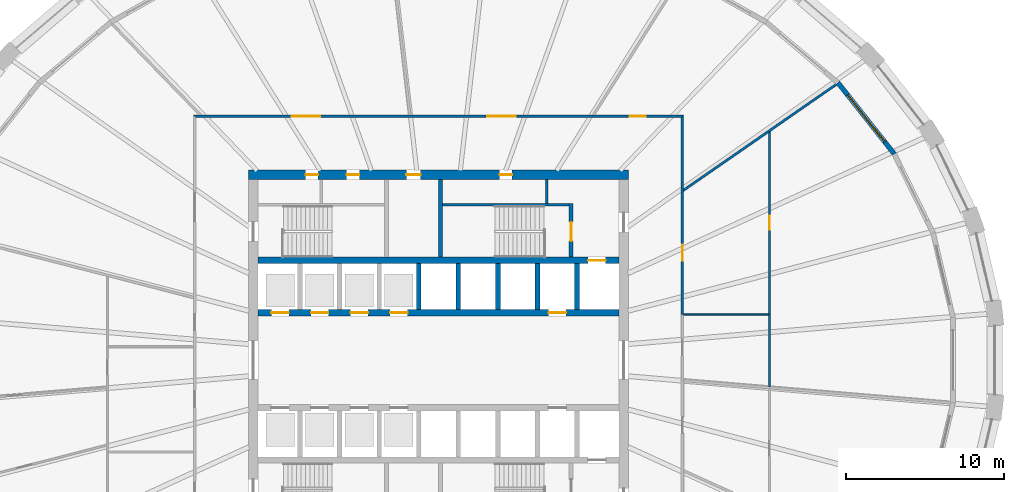
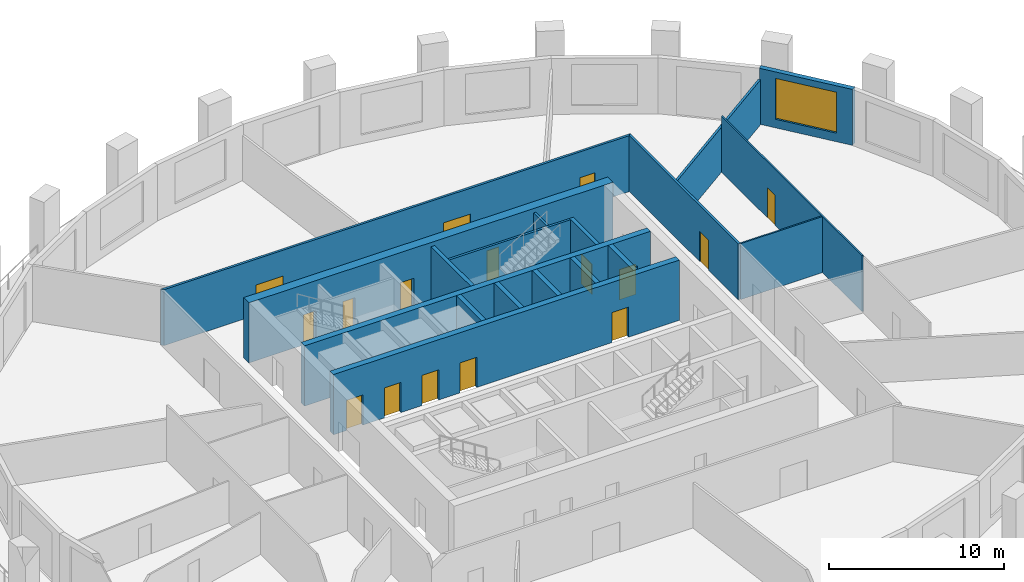
# One storey, part 6 of 10: 18 walls, 16 doors, 1 window, 17 openings.
"""IFC4 building model written with IfcOpenShell, lengths in metres."""

from ifc_helpers import new_model, si_unit, direction, frame, frame_2d, origin, place, context, subcontext, project, spatial, polyline, rectangle, outline, extrude, material, layer, layer_set, type_object, element, fill, save


model = new_model("IFC4")

# Units and contexts
model_context = context("Model", 3, precision=1e-05, world=origin(), true_north=direction((0.0, 1.0)))
body_context = subcontext(model_context, "Body", "Model", "MODEL_VIEW")
ifc_project = project(units=[si_unit("LENGTHUNIT", "METRE"), si_unit("AREAUNIT", "SQUARE_METRE"), si_unit("VOLUMEUNIT", "CUBIC_METRE"), si_unit("PLANEANGLEUNIT", "RADIAN"), si_unit("MASSUNIT", "GRAM", prefix="KILO")], contexts=[model_context])

# Site, building, storey
site_placement = place(None, origin())
site = spatial("IfcSite", under=ifc_project, at=site_placement, CompositionType="ELEMENT")
building_placement = place(site_placement, origin())
building = spatial("IfcBuilding", under=site, at=building_placement, Name="Halqa Exchange Tower", CompositionType="ELEMENT")
storey_placement = place(building_placement, frame((0.0, 0.0, 104.5)))
storey = spatial("IfcBuildingStorey", under=building, at=storey_placement, Name="L23", CompositionType="ELEMENT", Elevation=104.5)

# Wall, openings, doors
ifc_material_1 = material(Name="Fire-rated gypsum board")
ifc_layer_1 = layer(ifc_material_1, 0.14990234375)
ifc_layer_set_1 = layer_set([ifc_layer_1], Name="Fire-rated gypsum board")
wall_type_1 = type_object("IfcWallType", Name="Fire partition EI 60 150", PredefinedType="PARTITIONING", material=ifc_layer_set_1)
wall_1_placement = place(storey_placement, frame((-15.47509765625, 15.39990234375, 0.0), z_axis=(0.0, 0.0, 1.0), x_axis=(1.0, 0.0, 0.0)))
wall_1 = element("IfcWall", 1, at=wall_1_placement, inside=storey, type_object=wall_type_1, Name="L23-PWL-010", PredefinedType="PARTITIONING", context=body_context, shape_type="SweptSolid", body=[
    extrude(outline(polyline([(0.150146484375, -0.074951171875), (2.065673828125, -0.074951171875), (3.9814453125, -0.074951171875), (5.89697265625, -0.074951171875), (7.8125, -0.074951171875), (9.728271484375, -0.074951171875), (11.643798828125, -0.074951171875), (13.5595703125, -0.074951171875), (15.47509765625, -0.074951171875), (17.390625, -0.074951171875), (19.306396484375, -0.074951171875), (21.221923828125, -0.074951171875), (23.1376953125, -0.074951171875), (25.05322265625, -0.074951171875), (26.96875, -0.074951171875), (28.884521484375, -0.074951171875), (30.800048828125, -0.074951171875), (30.949951171875, 0.074951171875), (29.015625, 0.074951171875), (27.081298828125, 0.074951171875), (25.14697265625, 0.074951171875), (23.21240234375, 0.074951171875), (21.278076171875, 0.074951171875), (19.34375, 0.074951171875), (17.409423828125, 0.074951171875), (15.47509765625, 0.074951171875), (13.540771484375, 0.074951171875), (11.6064453125, 0.074951171875), (9.672119140625, 0.074951171875), (7.73779296875, 0.074951171875), (5.80322265625, 0.074951171875), (3.868896484375, 0.074951171875), (1.9345703125, 0.074951171875), (0.000244140625, 0.074951171875), (0.150146484375, -0.074951171875)])), origin(), (0.0, 0.0, 1.0), 3.89990234375),
])
opening_1_placement = place(wall_1_placement, frame((27.544921875, 0.0, 0.0)))
opening_1 = element("IfcOpeningElement", 2, at=opening_1_placement, cuts=wall_1, Name="Opening 07-01", PredefinedType="OPENING", context=body_context, shape_type="SweptSolid", body=[
    extrude(rectangle(XDim=1.0, YDim=2.10009765625, at=frame_2d((0.5, 1.050048828125))), frame((0.0, 0.0869140625, 0.0), z_axis=(0.0, -1.0, 0.0), x_axis=(1.0, 0.0, 0.0)), (0.0, 0.0, 1.0), 0.173828125),
])
opening_2_placement = place(wall_1_placement, frame((18.544921875, 0.0, 0.0)))
opening_2 = element("IfcOpeningElement", 3, at=opening_2_placement, cuts=wall_1, Name="Opening 07-02", PredefinedType="OPENING", context=body_context, shape_type="SweptSolid", body=[
    extrude(rectangle(XDim=1.800048828125, YDim=2.10009765625, at=frame_2d((0.89990234375, 1.050048828125))), frame((0.0, 0.0869140625, 0.0), z_axis=(0.0, -1.0, 0.0), x_axis=(1.0, 0.0, 0.0)), (0.0, 0.0, 1.0), 0.173828125),
])
opening_3_placement = place(wall_1_placement, frame((6.195068359375, 0.0, 0.0)))
opening_3 = element("IfcOpeningElement", 4, at=opening_3_placement, cuts=wall_1, Name="Opening 07-03", PredefinedType="OPENING", context=body_context, shape_type="SweptSolid", body=[
    extrude(rectangle(XDim=1.800048828125, YDim=2.10009765625, at=frame_2d((0.89990234375, 1.050048828125))), frame((0.0, 0.0869140625, 0.0), z_axis=(0.0, -1.0, 0.0), x_axis=(1.0, 0.0, 0.0)), (0.0, 0.0, 1.0), 0.173828125),
])
ifc_material_2 = material(Name="Steel fire door leaf", Category="steel")
door_type_1 = type_object("IfcDoorType", Name="Fire door FD30S 1000 x 2100", OperationType="SINGLE_SWING_LEFT", PredefinedType="DOOR", material=ifc_material_2)
door_1_placement = place(opening_1_placement, origin())
door_1 = element("IfcDoor", 5, at=door_1_placement, inside=storey, type_object=door_type_1, Name="L23-IDR-001", OperationType="SINGLE_SWING_RIGHT", OverallHeight=2.10009765625, OverallWidth=1.0, PredefinedType="DOOR", context=body_context, shape_type="SweptSolid", body=[
    extrude(rectangle(XDim=1.0, YDim=2.10009765625, at=frame_2d((0.5, 1.050048828125))), frame((0.0, 0.02490234375, 0.0), z_axis=(0.0, -1.0, 0.0), x_axis=(1.0, 0.0, 0.0)), (0.0, 0.0, 1.0), 0.050048828125),
])
fill(opening_1, door_1)
door_type_2 = type_object("IfcDoorType", Name="Fire door FD30S double 1800 x 2100", OperationType="DOUBLE_DOOR_SINGLE_SWING", PredefinedType="DOOR", material=ifc_material_2)
door_2_placement = place(opening_2_placement, origin())
door_2 = element("IfcDoor", 6, at=door_2_placement, inside=storey, type_object=door_type_2, Name="L23-IDR-002", OperationType="DOUBLE_DOOR_SINGLE_SWING", OverallHeight=2.10009765625, OverallWidth=1.800048828125, PredefinedType="DOOR", context=body_context, shape_type="SweptSolid", body=[
    extrude(rectangle(XDim=1.800048828125, YDim=2.10009765625, at=frame_2d((0.89990234375, 1.050048828125))), frame((0.0, 0.02490234375, 0.0), z_axis=(0.0, -1.0, 0.0), x_axis=(1.0, 0.0, 0.0)), (0.0, 0.0, 1.0), 0.050048828125),
])
fill(opening_2, door_2)
door_3_placement = place(opening_3_placement, origin())
door_3 = element("IfcDoor", 7, at=door_3_placement, inside=storey, type_object=door_type_2, Name="L23-IDR-003", OperationType="DOUBLE_DOOR_SINGLE_SWING", OverallHeight=2.10009765625, OverallWidth=1.800048828125, PredefinedType="DOOR", context=body_context, shape_type="SweptSolid", body=[
    extrude(rectangle(XDim=1.800048828125, YDim=2.10009765625, at=frame_2d((0.89990234375, 1.050048828125))), frame((0.0, 0.02490234375, 0.0), z_axis=(0.0, -1.0, 0.0), x_axis=(1.0, 0.0, 0.0)), (0.0, 0.0, 1.0), 0.050048828125),
])
fill(opening_3, door_3)

# Wall, opening, door
wall_2_placement = place(storey_placement, frame((15.39990234375, 2.8798828125, 0.0), z_axis=(0.0, 0.0, 1.0), x_axis=(0.0, 1.0, 0.0)))
wall_2 = element("IfcWall", 8, at=wall_2_placement, inside=storey, type_object=wall_type_1, Name="L23-PWL-021", PredefinedType="PARTITIONING", context=body_context, shape_type="SweptSolid", body=[
    extrude(outline(polyline([(0.0, -0.074951171875), (1.79931640625, -0.074951171875), (3.5986328125, -0.074951171875), (5.39794921875, -0.074951171875), (7.197021484375, -0.074951171875), (8.996337890625, -0.074951171875), (10.795654296875, -0.074951171875), (12.594970703125, -0.074951171875), (12.445068359375, 0.074951171875), (10.667236328125, 0.074951171875), (8.889404296875, 0.074951171875), (7.111572265625, 0.074951171875), (5.33349609375, 0.074951171875), (3.5556640625, 0.074951171875), (1.77783203125, 0.074951171875), (0.0, 0.074951171875), (0.0, -0.074951171875)])), origin(), (0.0, 0.0, 1.0), 3.89990234375),
])
opening_4_placement = place(wall_2_placement, frame((3.39990234375, 0.0, 0.0)))
opening_4 = element("IfcOpeningElement", 9, at=opening_4_placement, cuts=wall_2, Name="Opening 07-14", PredefinedType="OPENING", context=body_context, shape_type="SweptSolid", body=[
    extrude(rectangle(XDim=1.0, YDim=2.10009765625, at=frame_2d((0.5, 1.050048828125))), frame((0.0, 0.0869140625, 0.0), z_axis=(0.0, -1.0, 0.0), x_axis=(1.0, 0.0, 0.0)), (0.0, 0.0, 1.0), 0.173828125),
])
door_4_placement = place(opening_4_placement, frame((1.0, 0.0, 0.0), z_axis=(0.0, 0.0, 1.0), x_axis=(-1.0, 0.0, 0.0)))
door_4 = element("IfcDoor", 10, at=door_4_placement, inside=storey, type_object=door_type_1, Name="L23-IDR-014", OperationType="SINGLE_SWING_RIGHT", OverallHeight=2.10009765625, OverallWidth=1.0, PredefinedType="DOOR", context=body_context, shape_type="SweptSolid", body=[
    extrude(rectangle(XDim=1.0, YDim=2.10009765625, at=frame_2d((0.5, 1.050048828125))), frame((0.0, 0.02490234375, 0.0), z_axis=(0.0, -1.0, 0.0), x_axis=(1.0, 0.0, 0.0)), (0.0, 0.0, 1.0), 0.050048828125),
])
fill(opening_4, door_4)

# Walls
wall_3_placement = place(storey_placement, frame((15.4326171875, 10.702392578125, 0.0), z_axis=(0.0, 0.0, 1.0), x_axis=(0.82202509952, 0.569451258458, 0.0)))
element("IfcWall", 11, at=wall_3_placement, inside=storey, type_object=wall_type_1, Name="L23-PWL-023", PredefinedType="PARTITIONING", context=body_context, shape_type="SweptSolid", body=[
    extrude(outline(polyline([(0.0, -0.074951171875), (1.634521484375, -0.074951171875), (3.269287109375, -0.074951171875), (4.90380859375, -0.074951171875), (6.538330078125, -0.074951171875), (6.540283203125, -0.072021484375), (6.54443359375, -0.074951171875), (8.291259765625, -0.074951171875), (10.0380859375, -0.074951171875), (11.784912109375, -0.074951171875), (11.784912109375, -0.071044921875), (11.7802734375, 0.002685546875), (11.7607421875, 0.074951171875), (9.81787109375, 0.074951171875), (7.875, 0.074951171875), (5.93212890625, 0.074951171875), (3.9892578125, 0.074951171875), (2.04638671875, 0.074951171875), (0.103515625, 0.074951171875), (0.0, -0.074462890625), (0.0, -0.074951171875)])), origin(), (0.0, 0.0, 1.0), 3.1298828125),
])
ifc_material_3 = material(Name="Gypsum board")
ifc_layer_2 = layer(ifc_material_3, 0.10009765625)
ifc_layer_set_2 = layer_set([ifc_layer_2], Name="Gypsum board")
wall_type_2 = type_object("IfcWallType", Name="Partition 100 gypsum", PredefinedType="PARTITIONING", material=ifc_layer_set_2)
wall_4_placement = place(storey_placement, frame((15.46044921875, 2.8798828125, 0.0), z_axis=(0.0, 0.0, 1.0), x_axis=(1.0, 0.0, 0.0)))
element("IfcWall", 12, at=wall_4_placement, inside=storey, type_object=wall_type_2, Name="L23-PWL-022", PredefinedType="PARTITIONING", context=body_context, shape_type="SweptSolid", body=[
    extrude(outline(polyline([(0.0, -0.050048828125), (1.796630859375, -0.050048828125), (3.593017578125, -0.050048828125), (5.3896484375, -0.050048828125), (5.3896484375, 0.050048828125), (3.597900390625, 0.050048828125), (1.80615234375, 0.050048828125), (0.0146484375, 0.050048828125), (0.0146484375, 0.0), (0.0, 0.0), (0.0, -0.050048828125)])), origin(), (0.0, 0.0, 1.0), 3.89990234375),
])

# Wall, opening, door
wall_5_placement = place(storey_placement, frame((20.89990234375, -1.66845703125, 0.0), z_axis=(0.0, 0.0, 1.0), x_axis=(0.0, 1.0, 0.0)))
wall_5 = element("IfcWall", 13, at=wall_5_placement, inside=storey, type_object=wall_type_2, Name="L23-PWL-025", PredefinedType="PARTITIONING", context=body_context, shape_type="SweptSolid", body=[
    extrude(outline(polyline([(16.1015625, -0.050048828125), (16.1015625, -0.0498046875), (16.032470703125, 0.050048828125), (14.126708984375, 0.050048828125), (12.22119140625, 0.050048828125), (10.3154296875, 0.050048828125), (8.409912109375, 0.050048828125), (6.504150390625, 0.050048828125), (4.598388671875, 0.050048828125), (4.598388671875, 0.0498046875), (4.49853515625, 0.0498046875), (4.49853515625, 0.050048828125), (3.001708984375, 0.050048828125), (1.505126953125, 0.050048828125), (0.00830078125, 0.050048828125), (0.0, -0.049072265625), (0.0, -0.050048828125), (1.7890625, -0.050048828125), (3.578125, -0.050048828125), (5.3671875, -0.050048828125), (7.15625, -0.050048828125), (8.9453125, -0.050048828125), (10.734375, -0.050048828125), (12.5234375, -0.050048828125), (14.3125, -0.050048828125), (16.1015625, -0.050048828125)])), origin(), (0.0, 0.0, 1.0), 3.89990234375),
])
opening_5_placement = place(wall_5_placement, frame((9.903564453125, 0.0, 0.0)))
opening_5 = element("IfcOpeningElement", 14, at=opening_5_placement, cuts=wall_5, Name="Opening 07-19", PredefinedType="OPENING", context=body_context, shape_type="SweptSolid", body=[
    extrude(rectangle(XDim=0.89990234375, YDim=2.10009765625, at=frame_2d((0.449951171875, 1.050048828125))), frame((0.0, 0.06201171875, 0.0), z_axis=(0.0, -1.0, 0.0), x_axis=(1.0, 0.0, 0.0)), (0.0, 0.0, 1.0), 0.1240234375),
])
ifc_material_4 = material(Name="Timber door leaf", Category="wood")
door_type_3 = type_object("IfcDoorType", Name="Door 900 x 2100", OperationType="SINGLE_SWING_LEFT", PredefinedType="DOOR", material=ifc_material_4)
door_5_placement = place(opening_5_placement, origin())
door_5 = element("IfcDoor", 15, at=door_5_placement, inside=storey, type_object=door_type_3, Name="L23-IDR-019", OperationType="SINGLE_SWING_RIGHT", OverallHeight=2.10009765625, OverallWidth=0.89990234375, PredefinedType="DOOR", context=body_context, shape_type="SweptSolid", body=[
    extrude(rectangle(XDim=0.89990234375, YDim=2.10009765625, at=frame_2d((0.449951171875, 1.050048828125))), frame((0.0, 0.02490234375, 0.0), z_axis=(0.0, -1.0, 0.0), x_axis=(1.0, 0.0, 0.0)), (0.0, 0.0, 1.0), 0.050048828125),
])
fill(opening_5, door_5)

# Walls
ifc_layer_3 = layer(ifc_material_3, 0.14990234375)
ifc_layer_set_3 = layer_set([ifc_layer_3], Name="Gypsum board")
wall_type_3 = type_object("IfcWallType", Name="Penthouse riser wall 150 gypsum", PredefinedType="PARTITIONING", material=ifc_layer_set_3)
wall_6_placement = place(storey_placement, frame((6.824951171875, 9.89990234375, 0.0), z_axis=(0.0, 0.0, 1.0), x_axis=(0.0, 1.0, 0.0)))
element("IfcWall", 16, at=wall_6_placement, inside=storey, type_object=wall_type_3, Name="Firefighting lobby west wall N", PredefinedType="PARTITIONING", context=body_context, shape_type="SweptSolid", body=[
    extrude(rectangle(XDim=1.5, YDim=0.14990234375, at=frame_2d((0.75, 0.0))), origin(), (0.0, 0.0, 1.0), 3.89990234375),
])
ifc_material_5 = material(Name="Concrete C60/75", Category="concrete")
ifc_layer_4 = layer(ifc_material_5, 0.300048828125)
ifc_layer_set_4 = layer_set([ifc_layer_4], Name="Concrete C60/75")
wall_type_4 = type_object("IfcWallType", Name="RC core wall 300", PredefinedType="SHEAR", material=ifc_layer_set_4)
for number, where, z_axis, x_axis, name in (
    (17, (-1.25, 3.199951171875, 0.0), (0.0, 0.0, 1.0), (0.0, 1.0, 0.0), "Shaft divider N4"),
    (18, (1.25, 3.199951171875, 0.0), (0.0, 0.0, 1.0), (0.0, 1.0, 0.0), "Shaft divider N5"),
    (19, (3.75, 3.199951171875, 0.0), (0.0, 0.0, 1.0), (0.0, 1.0, 0.0), "Shaft divider N6"),
    (20, (6.25, 3.199951171875, 0.0), (0.0, 0.0, 1.0), (0.0, 1.0, 0.0), "Shaft divider N7"),
    (21, (8.75, 3.199951171875, 0.0), (0.0, 0.0, 1.0), (0.0, 1.0, 0.0), "Shaft divider N8"),
):
    element("IfcWall", number, at=place(storey_placement, frame(where, z_axis=z_axis, x_axis=x_axis)), inside=storey, type_object=wall_type_4, Name=name, PredefinedType="SHEAR", context=body_context, shape_type="SweptSolid", body=[
        extrude(rectangle(XDim=2.900146484375, YDim=0.300048828125, at=frame_2d((1.4501953125, 0.0))), origin(), (0.0, 0.0, 1.0), 4.199951171875),
    ])

# Wall, openings, doors
ifc_material_6 = material(Name="Concrete C70/85", Category="concrete")
ifc_layer_5 = layer(ifc_material_6, 0.39990234375)
ifc_layer_set_5 = layer_set([ifc_layer_5], Name="Concrete C70/85")
wall_type_5 = type_object("IfcWallType", Name="RC core wall 400 C70/85", PredefinedType="SHEAR", material=ifc_layer_set_5)
wall_7_placement = place(storey_placement, frame((-11.39990234375, 3.0, 0.0), z_axis=(0.0, 0.0, 1.0), x_axis=(1.0, 0.0, 0.0)))
wall_7 = element("IfcWall", 22, at=wall_7_placement, inside=storey, type_object=wall_type_5, Name="Lift row front wall N", PredefinedType="SHEAR", context=body_context, shape_type="SweptSolid", body=[
    extrude(rectangle(XDim=22.7998046875, YDim=0.39990234375, at=frame_2d((11.39990234375, 0.0))), origin(), (0.0, 0.0, 1.0), 4.199951171875),
])
opening_6_placement = place(wall_7_placement, frame((0.85009765625, 0.0, 0.0)))
opening_6 = element("IfcOpeningElement", 23, at=opening_6_placement, cuts=wall_7, Name="Opening LD-LR1-T07", PredefinedType="OPENING", context=body_context, shape_type="SweptSolid", body=[
    extrude(rectangle(XDim=1.10009765625, YDim=2.10009765625, at=frame_2d((0.550048828125, 1.050048828125))), frame((0.0, 0.2119140625, 0.0), z_axis=(0.0, -1.0, 0.0), x_axis=(1.0, 0.0, 0.0)), (0.0, 0.0, 1.0), 0.423828125),
])
opening_7_placement = place(wall_7_placement, frame((3.35009765625, 0.0, 0.0)))
opening_7 = element("IfcOpeningElement", 24, at=opening_7_placement, cuts=wall_7, Name="Opening LD-LR2-T07", PredefinedType="OPENING", context=body_context, shape_type="SweptSolid", body=[
    extrude(rectangle(XDim=1.10009765625, YDim=2.10009765625, at=frame_2d((0.550048828125, 1.050048828125))), frame((0.0, 0.2119140625, 0.0), z_axis=(0.0, -1.0, 0.0), x_axis=(1.0, 0.0, 0.0)), (0.0, 0.0, 1.0), 0.423828125),
])
opening_8_placement = place(wall_7_placement, frame((5.85009765625, 0.0, 0.0)))
opening_8 = element("IfcOpeningElement", 25, at=opening_8_placement, cuts=wall_7, Name="Opening LD-LR3-T07", PredefinedType="OPENING", context=body_context, shape_type="SweptSolid", body=[
    extrude(rectangle(XDim=1.10009765625, YDim=2.10009765625, at=frame_2d((0.550048828125, 1.050048828125))), frame((0.0, 0.2119140625, 0.0), z_axis=(0.0, -1.0, 0.0), x_axis=(1.0, 0.0, 0.0)), (0.0, 0.0, 1.0), 0.423828125),
])
opening_9_placement = place(wall_7_placement, frame((8.35009765625, 0.0, 0.0)))
opening_9 = element("IfcOpeningElement", 26, at=opening_9_placement, cuts=wall_7, Name="Opening LD-LR4-T07", PredefinedType="OPENING", context=body_context, shape_type="SweptSolid", body=[
    extrude(rectangle(XDim=1.10009765625, YDim=2.10009765625, at=frame_2d((0.550048828125, 1.050048828125))), frame((0.0, 0.2119140625, 0.0), z_axis=(0.0, -1.0, 0.0), x_axis=(1.0, 0.0, 0.0)), (0.0, 0.0, 1.0), 0.423828125),
])
opening_10_placement = place(wall_7_placement, frame((18.35009765625, 0.0, 0.0)))
opening_10 = element("IfcOpeningElement", 27, at=opening_10_placement, cuts=wall_7, Name="Opening LD-SV1-T07", PredefinedType="OPENING", context=body_context, shape_type="SweptSolid", body=[
    extrude(rectangle(XDim=1.10009765625, YDim=2.10009765625, at=frame_2d((0.550048828125, 1.050048828125))), frame((0.0, 0.2119140625, 0.0), z_axis=(0.0, -1.0, 0.0), x_axis=(1.0, 0.0, 0.0)), (0.0, 0.0, 1.0), 0.423828125),
])
ifc_material_7 = material(Name="Stainless steel", Category="steel")
door_type_4 = type_object("IfcDoorType", Name="Lift landing door 1100 x 2100", OperationType="SLIDING_TO_LEFT", PredefinedType="DOOR", material=ifc_material_7)
door_6_placement = place(opening_6_placement, origin())
door_6 = element("IfcDoor", 28, at=door_6_placement, inside=storey, type_object=door_type_4, Name="Lift landing door LR1", OperationType="SLIDING_TO_LEFT", OverallHeight=2.10009765625, OverallWidth=1.10009765625, PredefinedType="DOOR", context=body_context, shape_type="SweptSolid", body=[
    extrude(rectangle(XDim=1.10009765625, YDim=2.10009765625, at=frame_2d((0.550048828125, 1.050048828125))), frame((0.0, 0.02490234375, 0.0), z_axis=(0.0, -1.0, 0.0), x_axis=(1.0, 0.0, 0.0)), (0.0, 0.0, 1.0), 0.050048828125),
])
fill(opening_6, door_6)
door_7_placement = place(opening_7_placement, origin())
door_7 = element("IfcDoor", 29, at=door_7_placement, inside=storey, type_object=door_type_4, Name="Lift landing door LR2", OperationType="SLIDING_TO_LEFT", OverallHeight=2.10009765625, OverallWidth=1.10009765625, PredefinedType="DOOR", context=body_context, shape_type="SweptSolid", body=[
    extrude(rectangle(XDim=1.10009765625, YDim=2.10009765625, at=frame_2d((0.550048828125, 1.050048828125))), frame((0.0, 0.02490234375, 0.0), z_axis=(0.0, -1.0, 0.0), x_axis=(1.0, 0.0, 0.0)), (0.0, 0.0, 1.0), 0.050048828125),
])
fill(opening_7, door_7)
door_8_placement = place(opening_8_placement, origin())
door_8 = element("IfcDoor", 30, at=door_8_placement, inside=storey, type_object=door_type_4, Name="Lift landing door LR3", OperationType="SLIDING_TO_LEFT", OverallHeight=2.10009765625, OverallWidth=1.10009765625, PredefinedType="DOOR", context=body_context, shape_type="SweptSolid", body=[
    extrude(rectangle(XDim=1.10009765625, YDim=2.10009765625, at=frame_2d((0.550048828125, 1.050048828125))), frame((0.0, 0.02490234375, 0.0), z_axis=(0.0, -1.0, 0.0), x_axis=(1.0, 0.0, 0.0)), (0.0, 0.0, 1.0), 0.050048828125),
])
fill(opening_8, door_8)
door_9_placement = place(opening_9_placement, origin())
door_9 = element("IfcDoor", 31, at=door_9_placement, inside=storey, type_object=door_type_4, Name="Lift landing door LR4", OperationType="SLIDING_TO_LEFT", OverallHeight=2.10009765625, OverallWidth=1.10009765625, PredefinedType="DOOR", context=body_context, shape_type="SweptSolid", body=[
    extrude(rectangle(XDim=1.10009765625, YDim=2.10009765625, at=frame_2d((0.550048828125, 1.050048828125))), frame((0.0, 0.02490234375, 0.0), z_axis=(0.0, -1.0, 0.0), x_axis=(1.0, 0.0, 0.0)), (0.0, 0.0, 1.0), 0.050048828125),
])
fill(opening_9, door_9)
door_10_placement = place(opening_10_placement, origin())
door_10 = element("IfcDoor", 32, at=door_10_placement, inside=storey, type_object=door_type_4, Name="Lift landing door SV1", OperationType="SLIDING_TO_LEFT", OverallHeight=2.10009765625, OverallWidth=1.10009765625, PredefinedType="DOOR", context=body_context, shape_type="SweptSolid", body=[
    extrude(rectangle(XDim=1.10009765625, YDim=2.10009765625, at=frame_2d((0.550048828125, 1.050048828125))), frame((0.0, 0.02490234375, 0.0), z_axis=(0.0, -1.0, 0.0), x_axis=(1.0, 0.0, 0.0)), (0.0, 0.0, 1.0), 0.050048828125),
])
fill(opening_10, door_10)

# Wall, opening, door
wall_8_placement = place(storey_placement, frame((-11.39990234375, 6.300048828125, 0.0), z_axis=(0.0, 0.0, 1.0), x_axis=(1.0, 0.0, 0.0)))
wall_8 = element("IfcWall", 33, at=wall_8_placement, inside=storey, type_object=wall_type_5, Name="Lift row back wall N", PredefinedType="SHEAR", context=body_context, shape_type="SweptSolid", body=[
    extrude(rectangle(XDim=22.7998046875, YDim=0.39990234375, at=frame_2d((11.39990234375, 0.0))), origin(), (0.0, 0.0, 1.0), 4.199951171875),
])
opening_11_placement = place(wall_8_placement, frame((20.85009765625, 0.0, 0.0)))
opening_11 = element("IfcOpeningElement", 34, at=opening_11_placement, cuts=wall_8, Name="Opening LD-FF1-T07", PredefinedType="OPENING", context=body_context, shape_type="SweptSolid", body=[
    extrude(rectangle(XDim=1.10009765625, YDim=2.10009765625, at=frame_2d((0.550048828125, 1.050048828125))), frame((0.0, 0.2119140625, 0.0), z_axis=(0.0, -1.0, 0.0), x_axis=(1.0, 0.0, 0.0)), (0.0, 0.0, 1.0), 0.423828125),
])
door_11_placement = place(opening_11_placement, origin())
door_11 = element("IfcDoor", 35, at=door_11_placement, inside=storey, type_object=door_type_4, Name="Lift landing door FF1", OperationType="SLIDING_TO_LEFT", OverallHeight=2.10009765625, OverallWidth=1.10009765625, PredefinedType="DOOR", context=body_context, shape_type="SweptSolid", body=[
    extrude(rectangle(XDim=1.10009765625, YDim=2.10009765625, at=frame_2d((0.550048828125, 1.050048828125))), frame((0.0, 0.02490234375, 0.0), z_axis=(0.0, -1.0, 0.0), x_axis=(1.0, 0.0, 0.0)), (0.0, 0.0, 1.0), 0.050048828125),
])
fill(opening_11, door_11)

# Wall, openings, doors
ifc_layer_6 = layer(ifc_material_6, 0.60009765625)
ifc_layer_set_6 = layer_set([ifc_layer_6], Name="Concrete C70/85")
wall_type_6 = type_object("IfcWallType", Name="RC core wall 600 C70/85", PredefinedType="SHEAR", material=ifc_layer_set_6)
wall_9_placement = place(storey_placement, frame((-12.0, 11.699951171875, 0.0), z_axis=(0.0, 0.0, 1.0), x_axis=(1.0, 0.0, 0.0)))
wall_9 = element("IfcWall", 36, at=wall_9_placement, inside=storey, type_object=wall_type_6, Name="Core wall north", PredefinedType="SHEAR", context=body_context, shape_type="SweptSolid", body=[
    extrude(rectangle(XDim=24.0, YDim=0.60009765625, at=frame_2d((12.0, 0.0))), origin(), (0.0, 0.0, 1.0), 4.199951171875),
])
opening_12_placement = place(wall_9_placement, frame((9.97509765625, 0.0, 0.0)))
opening_12 = element("IfcOpeningElement", 37, at=opening_12_placement, cuts=wall_9, Name="Opening T07-C21", PredefinedType="OPENING", context=body_context, shape_type="SweptSolid", body=[
    extrude(rectangle(XDim=0.89990234375, YDim=2.10009765625, at=frame_2d((0.449951171875, 1.050048828125))), frame((0.0, 0.31201171875, 0.0), z_axis=(0.0, -1.0, 0.0), x_axis=(1.0, 0.0, 0.0)), (0.0, 0.0, 1.0), 0.6240234375),
])
opening_13_placement = place(wall_9_placement, frame((3.60009765625, 0.0, 0.0)))
opening_13 = element("IfcOpeningElement", 38, at=opening_13_placement, cuts=wall_9, Name="Opening T07-C22", PredefinedType="OPENING", context=body_context, shape_type="SweptSolid", body=[
    extrude(rectangle(XDim=0.800048828125, YDim=2.10009765625, at=frame_2d((0.39990234375, 1.050048828125))), frame((0.0, 0.31201171875, 0.0), z_axis=(0.0, -1.0, 0.0), x_axis=(1.0, 0.0, 0.0)), (0.0, 0.0, 1.0), 0.6240234375),
])
opening_14_placement = place(wall_9_placement, frame((6.199951171875, 0.0, 0.0)))
opening_14 = element("IfcOpeningElement", 39, at=opening_14_placement, cuts=wall_9, Name="Opening T07-C23", PredefinedType="OPENING", context=body_context, shape_type="SweptSolid", body=[
    extrude(rectangle(XDim=0.800048828125, YDim=2.10009765625, at=frame_2d((0.39990234375, 1.050048828125))), frame((0.0, 0.31201171875, 0.0), z_axis=(0.0, -1.0, 0.0), x_axis=(1.0, 0.0, 0.0)), (0.0, 0.0, 1.0), 0.6240234375),
])
opening_15_placement = place(wall_9_placement, frame((15.85009765625, 0.0, 0.0)))
opening_15 = element("IfcOpeningElement", 40, at=opening_15_placement, cuts=wall_9, Name="Opening T07-C24", PredefinedType="OPENING", context=body_context, shape_type="SweptSolid", body=[
    extrude(rectangle(XDim=0.800048828125, YDim=2.10009765625, at=frame_2d((0.39990234375, 1.050048828125))), frame((0.0, 0.31201171875, 0.0), z_axis=(0.0, -1.0, 0.0), x_axis=(1.0, 0.0, 0.0)), (0.0, 0.0, 1.0), 0.6240234375),
])
ifc_material_8 = material(Name="Timber fire door leaf", Category="wood")
door_type_5 = type_object("IfcDoorType", Name="Core room door FD30 900 x 2100", OperationType="SINGLE_SWING_LEFT", PredefinedType="DOOR", material=ifc_material_8)
door_12_placement = place(opening_12_placement, frame((0.89990234375, 0.0, 0.0), z_axis=(0.0, 0.0, 1.0), x_axis=(-1.0, 0.0, 0.0)))
door_12 = element("IfcDoor", 41, at=door_12_placement, inside=storey, type_object=door_type_5, Name="Core room door", OperationType="SINGLE_SWING_LEFT", OverallHeight=2.10009765625, OverallWidth=0.89990234375, PredefinedType="DOOR", context=body_context, shape_type="SweptSolid", body=[
    extrude(rectangle(XDim=0.89990234375, YDim=2.10009765625, at=frame_2d((0.449951171875, 1.050048828125))), frame((0.0, 0.02490234375, 0.0), z_axis=(0.0, -1.0, 0.0), x_axis=(1.0, 0.0, 0.0)), (0.0, 0.0, 1.0), 0.050048828125),
])
fill(opening_12, door_12)
door_type_6 = type_object("IfcDoorType", Name="Riser door FD60 800 x 2100", OperationType="SINGLE_SWING_LEFT", PredefinedType="DOOR", material=ifc_material_2)
door_13_placement = place(opening_13_placement, frame((0.800048828125, 0.0, 0.0), z_axis=(0.0, 0.0, 1.0), x_axis=(-1.0, 0.0, 0.0)))
door_13 = element("IfcDoor", 42, at=door_13_placement, inside=storey, type_object=door_type_6, Name="Core room door", OperationType="SINGLE_SWING_RIGHT", OverallHeight=2.10009765625, OverallWidth=0.800048828125, PredefinedType="DOOR", context=body_context, shape_type="SweptSolid", body=[
    extrude(rectangle(XDim=0.800048828125, YDim=2.10009765625, at=frame_2d((0.39990234375, 1.050048828125))), frame((0.0, 0.02490234375, 0.0), z_axis=(0.0, -1.0, 0.0), x_axis=(1.0, 0.0, 0.0)), (0.0, 0.0, 1.0), 0.050048828125),
])
fill(opening_13, door_13)
door_14_placement = place(opening_14_placement, frame((0.800048828125, 0.0, 0.0), z_axis=(0.0, 0.0, 1.0), x_axis=(-1.0, 0.0, 0.0)))
door_14 = element("IfcDoor", 43, at=door_14_placement, inside=storey, type_object=door_type_6, Name="Core room door", OperationType="SINGLE_SWING_LEFT", OverallHeight=2.10009765625, OverallWidth=0.800048828125, PredefinedType="DOOR", context=body_context, shape_type="SweptSolid", body=[
    extrude(rectangle(XDim=0.800048828125, YDim=2.10009765625, at=frame_2d((0.39990234375, 1.050048828125))), frame((0.0, 0.02490234375, 0.0), z_axis=(0.0, -1.0, 0.0), x_axis=(1.0, 0.0, 0.0)), (0.0, 0.0, 1.0), 0.050048828125),
])
fill(opening_14, door_14)
door_15_placement = place(opening_15_placement, frame((0.800048828125, 0.0, 0.0), z_axis=(0.0, 0.0, 1.0), x_axis=(-1.0, 0.0, 0.0)))
door_15 = element("IfcDoor", 44, at=door_15_placement, inside=storey, type_object=door_type_6, Name="Core room door", OperationType="SINGLE_SWING_RIGHT", OverallHeight=2.10009765625, OverallWidth=0.800048828125, PredefinedType="DOOR", context=body_context, shape_type="SweptSolid", body=[
    extrude(rectangle(XDim=0.800048828125, YDim=2.10009765625, at=frame_2d((0.39990234375, 1.050048828125))), frame((0.0, 0.02490234375, 0.0), z_axis=(0.0, -1.0, 0.0), x_axis=(1.0, 0.0, 0.0)), (0.0, 0.0, 1.0), 0.050048828125),
])
fill(opening_15, door_15)

# Walls
ifc_material_9 = material(Name="Concrete C30/37", Category="concrete")
ifc_layer_7 = layer(ifc_material_9, 0.14990234375)
ifc_layer_set_7 = layer_set([ifc_layer_7], Name="Concrete C30/37")
wall_type_7 = type_object("IfcWallType", Name="RC stair wall 150 C30/37", PredefinedType="SHEAR", material=ifc_layer_set_7)
wall_10_placement = place(storey_placement, frame((0.25, 9.824951171875, 0.0), z_axis=(0.0, 0.0, 1.0), x_axis=(1.0, 0.0, 0.0)))
element("IfcWall", 45, at=wall_10_placement, inside=storey, type_object=wall_type_7, Name="Stair ST2 north wall N", PredefinedType="SHEAR", context=body_context, shape_type="SweptSolid", body=[
    extrude(rectangle(XDim=8.0, YDim=0.14990234375, at=frame_2d((4.0, 0.0))), origin(), (0.0, 0.0, 1.0), 3.89990234375),
])
ifc_layer_8 = layer(ifc_material_9, 0.25)
ifc_layer_set_8 = layer_set([ifc_layer_8], Name="Concrete C30/37")
wall_type_8 = type_object("IfcWallType", Name="RC stair wall 250 C30/37", PredefinedType="SHEAR", material=ifc_layer_set_8)
wall_11_placement = place(storey_placement, frame((0.125, 6.5, 0.0), z_axis=(0.0, 0.0, 1.0), x_axis=(0.0, 1.0, 0.0)))
element("IfcWall", 46, at=wall_11_placement, inside=storey, type_object=wall_type_8, Name="Stair ST2 west wall N", PredefinedType="SHEAR", context=body_context, shape_type="SweptSolid", body=[
    extrude(rectangle(XDim=4.89990234375, YDim=0.25, at=frame_2d((2.449951171875, 0.0))), origin(), (0.0, 0.0, 1.0), 3.89990234375),
])

# Wall, opening, door
wall_12_placement = place(storey_placement, frame((8.375, 6.5, 0.0), z_axis=(0.0, 0.0, 1.0), x_axis=(0.0, 1.0, 0.0)))
wall_12 = element("IfcWall", 47, at=wall_12_placement, inside=storey, type_object=wall_type_8, Name="Stair ST2 east wall N", PredefinedType="SHEAR", context=body_context, shape_type="SweptSolid", body=[
    extrude(rectangle(XDim=3.39990234375, YDim=0.25, at=frame_2d((1.699951171875, 0.0))), origin(), (0.0, 0.0, 1.0), 3.89990234375),
])
opening_16_placement = place(wall_12_placement, frame((1.02490234375, 0.0, 0.0)))
opening_16 = element("IfcOpeningElement", 48, at=opening_16_placement, cuts=wall_12, Name="Opening T07-C16", PredefinedType="OPENING", context=body_context, shape_type="SweptSolid", body=[
    extrude(rectangle(XDim=1.199951171875, YDim=2.10009765625, at=frame_2d((0.60009765625, 1.050048828125))), frame((0.0, 0.136962890625, 0.0), z_axis=(0.0, -1.0, 0.0), x_axis=(1.0, 0.0, 0.0)), (0.0, 0.0, 1.0), 0.27392578125),
])
door_type_7 = type_object("IfcDoorType", Name="Stair door FD90 1200 x 2100", OperationType="SINGLE_SWING_LEFT", PredefinedType="DOOR", material=ifc_material_2)
door_16_placement = place(opening_16_placement, origin())
door_16 = element("IfcDoor", 49, at=door_16_placement, inside=storey, type_object=door_type_7, Name="Stair door ST2", OperationType="SINGLE_SWING_RIGHT", OverallHeight=2.10009765625, OverallWidth=1.199951171875, PredefinedType="DOOR", context=body_context, shape_type="SweptSolid", body=[
    extrude(rectangle(XDim=1.199951171875, YDim=2.10009765625, at=frame_2d((0.60009765625, 1.050048828125))), frame((0.0, 0.02490234375, 0.0), z_axis=(0.0, -1.0, 0.0), x_axis=(1.0, 0.0, 0.0)), (0.0, 0.0, 1.0), 0.050048828125),
])
fill(opening_16, door_16)

# Wall, opening, window
ifc_material_10 = material(Name="Limestone cladding", Category="masonry")
ifc_layer_9 = layer(ifc_material_10, 0.0400390625)
ifc_material_11 = material(Name="Ventilated cavity")
ifc_layer_10 = layer(ifc_material_11, 0.030029296875, ventilated=True)
ifc_material_12 = material(Name="Mineral wool insulation")
ifc_layer_11 = layer(ifc_material_12, 0.10009765625)
ifc_layer_12 = layer(ifc_material_9, 0.10009765625)
ifc_material_13 = material(Name="Internal plaster")
ifc_layer_13 = layer(ifc_material_13, 0.030029296875)
ifc_layer_set_9 = layer_set([ifc_layer_9, ifc_layer_10, ifc_layer_11, ifc_layer_12, ifc_layer_13], Name="Stone-faced insulated wall 300")
wall_type_9 = type_object("IfcWallType", Name="Stone-faced insulated wall 300", PredefinedType="STANDARD", material=ifc_layer_set_9)
wall_13_placement = place(storey_placement, frame((28.78076171875, 13.019287109375, 0.0), z_axis=(0.0, 0.0, 1.0), x_axis=(-0.620329992039, 0.784340934146, 0.0)))
wall_13 = element("IfcWall", 50, at=wall_13_placement, inside=storey, type_object=wall_type_9, Name="Glass-line wall 3", PredefinedType="STANDARD", context=body_context, shape_type="SweptSolid", body=[
    extrude(outline(polyline([(-0.01611328125, -0.14990234375), (5.75048828125, -0.14990234375), (5.72021484375, 0.14990234375), (0.01611328125, 0.14990234375), (-0.01611328125, -0.14990234375)])), origin(), (0.0, 0.0, 1.0), 3.89990234375),
])
opening_17_placement = place(wall_13_placement, frame((0.99267578125, 0.0, 0.60009765625)))
opening_17 = element("IfcOpeningElement", 51, at=opening_17_placement, cuts=wall_13, Name="Opening W-F2-03", PredefinedType="OPENING", context=body_context, shape_type="SweptSolid", body=[
    extrude(rectangle(XDim=3.75, YDim=2.85009765625, at=frame_2d((1.875, 1.425048828125))), frame((0.0, 0.162109375, 0.0), z_axis=(0.0, -1.0, 0.0), x_axis=(1.0, 0.0, 0.0)), (0.0, 0.0, 1.0), 0.323974609375),
])
ifc_material_14 = material(Name="Clear low-emissivity glass in aluminium frame", Category="aluminium")
window_type = type_object("IfcWindowType", Name="Fixed clear glazed window 3750 x 2850", PartitioningType="TRIPLE_PANEL_VERTICAL", PredefinedType="WINDOW", material=ifc_material_14)
window_placement = place(opening_17_placement, origin())
window = element("IfcWindow", 52, at=window_placement, inside=storey, type_object=window_type, Name="Window 2", OverallHeight=2.85009765625, OverallWidth=3.75, PartitioningType="TRIPLE_PANEL_VERTICAL", PredefinedType="WINDOW", context=body_context, shape_type="SweptSolid", body=[
    extrude(rectangle(XDim=3.75, YDim=2.85009765625, at=frame_2d((1.875, 1.425048828125))), frame((0.0, 0.030029296875, 0.0), z_axis=(0.0, -1.0, 0.0), x_axis=(1.0, 0.0, 0.0)), (0.0, 0.0, 1.0), 0.06005859375),
])
fill(opening_17, window)

save(model, "model.ifc")
